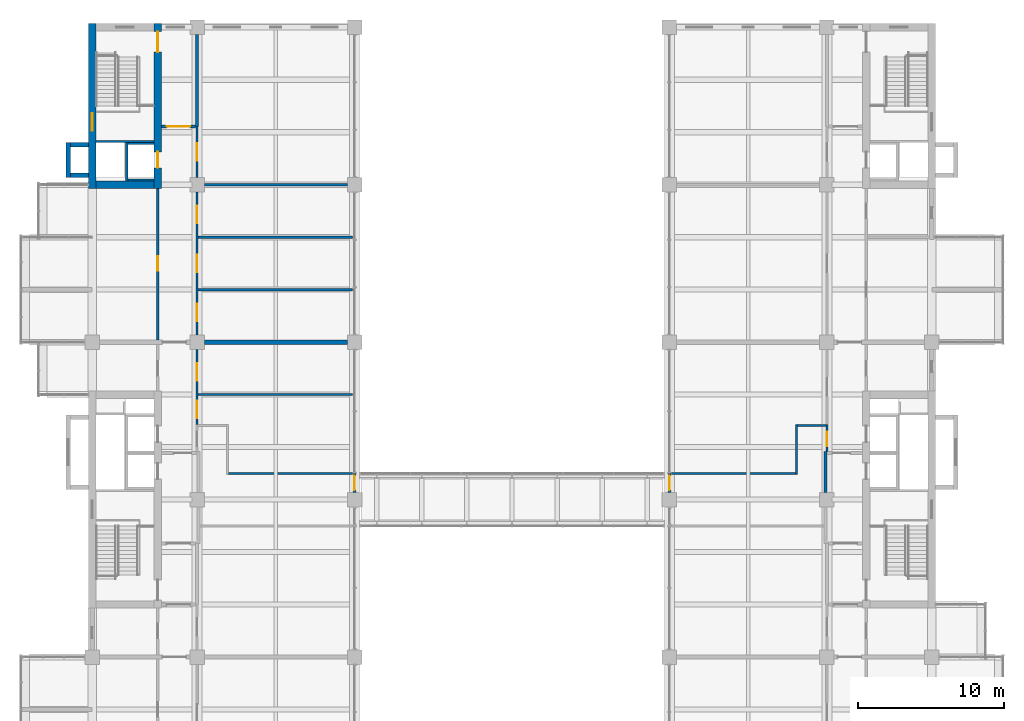
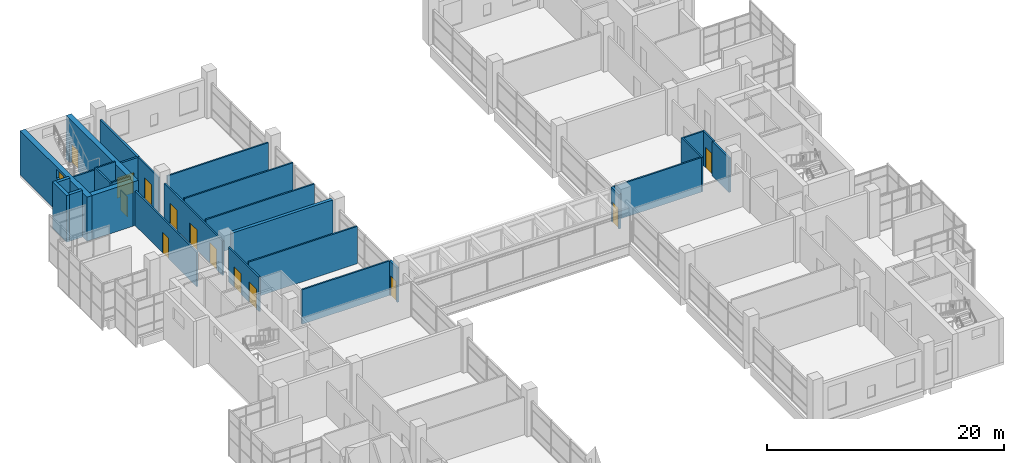
# One storey, part 29 of 35: 29 walls, 13 doors, 1 window, 14 openings.
"""IFC4 building model written with IfcOpenShell, lengths in metres."""

from ifc_helpers import new_model, si_unit, direction, frame, frame_2d, origin, place, context, subcontext, project, spatial, rectangle, extrude, material, layer, layer_set, type_object, element, fill, save


model = new_model("IFC4")

# Units and contexts
model_context = context("Model", 3, precision=1e-05, world=origin(), true_north=direction((0.0, 1.0)))
body_context = subcontext(model_context, "Body", "Model", "MODEL_VIEW")
ifc_project = project(units=[si_unit("LENGTHUNIT", "METRE"), si_unit("AREAUNIT", "SQUARE_METRE"), si_unit("VOLUMEUNIT", "CUBIC_METRE"), si_unit("PLANEANGLEUNIT", "RADIAN"), si_unit("MASSUNIT", "GRAM", prefix="KILO")], contexts=[model_context])

# Site, building, storey
site_placement = place(None, origin())
site = spatial("IfcSite", under=ifc_project, at=site_placement, CompositionType="ELEMENT")
building_placement = place(site_placement, origin())
building = spatial("IfcBuilding", under=site, at=building_placement, Name="Basin Gate Institute", CompositionType="ELEMENT")
storey_placement = place(building_placement, frame((0.0, 0.0, 31.800048828125)))
storey = spatial("IfcBuildingStorey", under=building, at=storey_placement, Name="L06", CompositionType="ELEMENT", Elevation=31.800048828125)

# Wall, opening, door
ifc_material_1 = material(Name="Steel stud wall with gypsum board lining", Category="steel")
ifc_layer_1 = layer(ifc_material_1, 0.199951171875)
ifc_layer_set_1 = layer_set([ifc_layer_1], Name="Steel stud wall with gypsum board lining")
wall_type_1 = type_object("IfcWallType", Name="Bridge end wall W82 EI 60", PredefinedType="SOLIDWALL", material=ifc_layer_set_1)
wall_1_placement = place(storey_placement, frame((79.199951171875, 68.0, 0.0), z_axis=(0.0, 0.0, 1.0), x_axis=(0.0, 1.0, 0.0)))
wall_1 = element("IfcWall", 1, at=wall_1_placement, inside=storey, type_object=wall_type_1, material=ifc_layer_set_1, Name="Bridge end wall R120 L06 W2", PredefinedType="SOLIDWALL", context=body_context, shape_type="SweptSolid", body=[
    extrude(rectangle(XDim=1.300048828125, YDim=0.199951171875, at=frame_2d((0.64990234375, 0.0))), origin(), (0.0, 0.0, 1.0), 3.550048828125),
])
opening_1_placement = place(wall_1_placement, frame((0.14990234375, 0.0, 0.0)))
opening_1 = element("IfcOpeningElement", 2, at=opening_1_placement, cuts=wall_1, Name="Opening D822", PredefinedType="OPENING", context=body_context, shape_type="SweptSolid", body=[
    extrude(rectangle(XDim=1.0, YDim=2.10009765625, at=frame_2d((0.5, 1.050048828125))), frame((0.0, 0.10986328125, 0.0), z_axis=(0.0, -1.0, 0.0), x_axis=(1.0, 0.0, 0.0)), (0.0, 0.0, 1.0), 0.219970703125),
])
ifc_material_2 = material(Name="Steel fire door leaf", Category="steel")
door_type_1 = type_object("IfcDoorType", Name="FD60 door 1000 bridge", OperationType="NOTDEFINED", PredefinedType="DOOR", material=ifc_material_2)
door_1_placement = place(opening_1_placement, origin())
door_1 = element("IfcDoor", 3, at=door_1_placement, inside=storey, type_object=door_type_1, material=ifc_material_2, Name="Bridge door L06 W2", OperationType="SINGLE_SWING_RIGHT", OverallHeight=2.10009765625, OverallWidth=1.0, PredefinedType="DOOR", context=body_context, shape_type="SweptSolid", body=[
    extrude(rectangle(XDim=1.0, YDim=2.10009765625, at=frame_2d((0.5, 1.050048828125))), frame((0.0, 0.02490234375, 0.0), z_axis=(0.0, -1.0, 0.0), x_axis=(1.0, 0.0, 0.0)), (0.0, 0.0, 1.0), 0.050048828125),
])
fill(opening_1, door_1)

wall_2_placement = place(storey_placement, frame((100.800048828125, 68.0, 0.0), z_axis=(0.0, 0.0, 1.0), x_axis=(0.0, 1.0, 0.0)))
wall_2 = element("IfcWall", 4, at=wall_2_placement, inside=storey, type_object=wall_type_1, material=ifc_layer_set_1, Name="Bridge end wall R120 L06 E2", PredefinedType="SOLIDWALL", context=body_context, shape_type="SweptSolid", body=[
    extrude(rectangle(XDim=1.300048828125, YDim=0.199951171875, at=frame_2d((0.64990234375, 0.0))), origin(), (0.0, 0.0, 1.0), 3.550048828125),
])
opening_2_placement = place(wall_2_placement, frame((0.14990234375, 0.0, 0.0)))
opening_2 = element("IfcOpeningElement", 5, at=opening_2_placement, cuts=wall_2, Name="Opening D832", PredefinedType="OPENING", context=body_context, shape_type="SweptSolid", body=[
    extrude(rectangle(XDim=1.0, YDim=2.10009765625, at=frame_2d((0.5, 1.050048828125))), frame((0.0, 0.10986328125, 0.0), z_axis=(0.0, -1.0, 0.0), x_axis=(1.0, 0.0, 0.0)), (0.0, 0.0, 1.0), 0.219970703125),
])
door_2_placement = place(opening_2_placement, frame((1.0, 0.0, 0.0), z_axis=(0.0, 0.0, 1.0), x_axis=(-1.0, 0.0, 0.0)))
door_2 = element("IfcDoor", 6, at=door_2_placement, inside=storey, type_object=door_type_1, material=ifc_material_2, Name="Bridge door L06 E2", OperationType="SINGLE_SWING_LEFT", OverallHeight=2.10009765625, OverallWidth=1.0, PredefinedType="DOOR", context=body_context, shape_type="SweptSolid", body=[
    extrude(rectangle(XDim=1.0, YDim=2.10009765625, at=frame_2d((0.5, 1.050048828125))), frame((0.0, 0.02490234375, 0.0), z_axis=(0.0, -1.0, 0.0), x_axis=(1.0, 0.0, 0.0)), (0.0, 0.0, 1.0), 0.050048828125),
])
fill(opening_2, door_2)

ifc_material_3 = material(Name="Fire-rated masonry", Category="masonry")
ifc_layer_2 = layer(ifc_material_3, 0.199951171875)
ifc_layer_set_2 = layer_set([ifc_layer_2], Name="Enclosure wall PW2 200 EI 60")
wall_type_2 = type_object("IfcWallType", Name="Enclosure wall PW2 200 EI 60", PredefinedType="PARTITIONING", material=ifc_layer_set_2)
wall_3_placement = place(storey_placement, frame((65.949951171875, 93.10009765625, 0.0), z_axis=(0.0, 0.0, 1.0), x_axis=(1.0, 0.0, 0.0)))
wall_3 = element("IfcWall", 7, at=wall_3_placement, inside=storey, type_object=wall_type_2, material=ifc_layer_set_2, Name="Smoke lobby enclosure wall PW2 L06", PredefinedType="PARTITIONING", context=body_context, shape_type="SweptSolid", body=[
    extrude(rectangle(XDim=2.35009765625, YDim=0.199951171875, at=frame_2d((1.175048828125, 0.0))), origin(), (0.0, 0.0, 1.0), 3.550048828125),
])
opening_3_placement = place(wall_3_placement, frame((0.375, 0.0, 0.0)))
opening_3 = element("IfcOpeningElement", 8, at=opening_3_placement, cuts=wall_3, Name="Opening DR322", PredefinedType="OPENING", context=body_context, shape_type="SweptSolid", body=[
    extrude(rectangle(XDim=1.60009765625, YDim=2.10009765625, at=frame_2d((0.800048828125, 1.050048828125))), frame((0.0, 0.10986328125, 0.0), z_axis=(0.0, -1.0, 0.0), x_axis=(1.0, 0.0, 0.0)), (0.0, 0.0, 1.0), 0.219970703125),
])
ifc_material_4 = material(Name="Steel fire door", Category="steel")
door_type_2 = type_object("IfcDoorType", Name="FD60 Smoke lobby door pair D8", OperationType="DOUBLE_DOOR_SINGLE_SWING", PredefinedType="DOOR", material=ifc_material_4)
door_3_placement = place(opening_3_placement, origin())
door_3 = element("IfcDoor", 9, at=door_3_placement, inside=storey, type_object=door_type_2, material=ifc_material_4, Name="Smoke lobby door SS3 L06", OperationType="DOUBLE_DOOR_SINGLE_SWING", OverallHeight=2.10009765625, OverallWidth=1.60009765625, PredefinedType="DOOR", context=body_context, shape_type="SweptSolid", body=[
    extrude(rectangle(XDim=1.60009765625, YDim=2.10009765625, at=frame_2d((0.800048828125, 1.050048828125))), frame((0.0, 0.02490234375, 0.0), z_axis=(0.0, -1.0, 0.0), x_axis=(1.0, 0.0, 0.0)), (0.0, 0.0, 1.0), 0.050048828125),
])
fill(opening_3, door_3)

# Walls
wall_4_placement = place(storey_placement, frame((68.39990234375, 93.10009765625, 0.0), z_axis=(0.0, 0.0, 1.0), x_axis=(0.0, 1.0, 0.0)))
element("IfcWall", 10, at=wall_4_placement, inside=storey, type_object=wall_type_2, material=ifc_layer_set_2, Name="Smoke lobby enclosure wall PW2 L06", PredefinedType="PARTITIONING", context=body_context, shape_type="SweptSolid", body=[
    extrude(rectangle(XDim=6.2998046875, YDim=0.199951171875, at=frame_2d((3.14990234375, 0.0))), origin(), (0.0, 0.0, 1.0), 3.550048828125),
])
wall_5_placement = place(storey_placement, frame((111.5, 68.0, 0.0), z_axis=(0.0, 0.0, 1.0), x_axis=(0.0, 1.0, 0.0)))
element("IfcWall", 11, at=wall_5_placement, inside=storey, type_object=wall_type_2, material=ifc_layer_set_2, Name="Emergency lift lobby wall PW2 L06", PredefinedType="PARTITIONING", context=body_context, shape_type="SweptSolid", body=[
    extrude(rectangle(XDim=2.800048828125, YDim=0.199951171875, at=frame_2d((1.39990234375, 0.0))), origin(), (0.0, 0.0, 1.0), 3.550048828125),
])

# Wall, opening, door
ifc_material_5 = material(Name="Gypsum board on steel stud", Category="steel")
ifc_layer_3 = layer(ifc_material_5, 0.14990234375)
ifc_layer_set_3 = layer_set([ifc_layer_3], Name="Gypsum board on steel stud")
wall_type_3 = type_object("IfcWallType", Name="Partition PW1 150 EI 60", PredefinedType="PARTITIONING", material=ifc_layer_set_3)
wall_6_placement = place(storey_placement, frame((65.699951171875, 78.449951171875, 0.0), z_axis=(0.0, 0.0, 1.0), x_axis=(0.0, 1.0, 0.0)))
wall_6 = element("IfcWall", 12, at=wall_6_placement, inside=storey, type_object=wall_type_3, material=ifc_layer_set_3, Name="Corridor wall PW1 L06", PredefinedType="PARTITIONING", context=body_context, shape_type="SweptSolid", body=[
    extrude(rectangle(XDim=10.400146484375, YDim=0.14990234375, at=frame_2d((5.2001953125, 0.0))), origin(), (0.0, 0.0, 1.0), 3.550048828125),
])
opening_4_placement = place(wall_6_placement, frame((4.75, 0.0, 0.0)))
opening_4 = element("IfcOpeningElement", 13, at=opening_4_placement, cuts=wall_6, Name="Opening DR308", PredefinedType="OPENING", context=body_context, shape_type="SweptSolid", body=[
    extrude(rectangle(XDim=1.0, YDim=2.10009765625, at=frame_2d((0.5, 1.050048828125))), frame((0.0, 0.0849609375, 0.0), z_axis=(0.0, -1.0, 0.0), x_axis=(1.0, 0.0, 0.0)), (0.0, 0.0, 1.0), 0.169921875),
])
ifc_material_6 = material(Name="Timber fire door", Category="wood")
door_type_3 = type_object("IfcDoorType", Name="FD30 Office door D1", OperationType="NOTDEFINED", PredefinedType="DOOR", material=ifc_material_6)
door_4_placement = place(opening_4_placement, origin())
door_4 = element("IfcDoor", 14, at=door_4_placement, inside=storey, type_object=door_type_3, material=ifc_material_6, Name="Door to Library Carrel Room 0605 L06", OperationType="SINGLE_SWING_LEFT", OverallHeight=2.10009765625, OverallWidth=1.0, PredefinedType="DOOR", context=body_context, shape_type="SweptSolid", body=[
    extrude(rectangle(XDim=1.0, YDim=2.10009765625, at=frame_2d((0.5, 1.050048828125))), frame((0.0, 0.02490234375, 0.0), z_axis=(0.0, -1.0, 0.0), x_axis=(1.0, 0.0, 0.0)), (0.0, 0.0, 1.0), 0.050048828125),
])
fill(opening_4, door_4)

# Wall, openings, doors
wall_7_placement = place(storey_placement, frame((68.39990234375, 78.800048828125, 0.0), z_axis=(0.0, 0.0, 1.0), x_axis=(0.0, 1.0, 0.0)))
wall_7 = element("IfcWall", 15, at=wall_7_placement, inside=storey, type_object=wall_type_3, material=ifc_layer_set_3, Name="Laboratory corridor wall PW1 L06", PredefinedType="PARTITIONING", context=body_context, shape_type="SweptSolid", body=[
    extrude(rectangle(XDim=9.800048828125, YDim=0.14990234375, at=frame_2d((4.89990234375, 0.0))), origin(), (0.0, 0.0, 1.0), 3.550048828125),
])
opening_5_placement = place(wall_7_placement, frame((4.300048828125, 0.0, 0.0)))
opening_5 = element("IfcOpeningElement", 16, at=opening_5_placement, cuts=wall_7, Name="Opening DR305", PredefinedType="OPENING", context=body_context, shape_type="SweptSolid", body=[
    extrude(rectangle(XDim=1.199951171875, YDim=2.10009765625, at=frame_2d((0.60009765625, 1.050048828125))), frame((0.0, 0.0849609375, 0.0), z_axis=(0.0, -1.0, 0.0), x_axis=(1.0, 0.0, 0.0)), (0.0, 0.0, 1.0), 0.169921875),
])
opening_6_placement = place(wall_7_placement, frame((0.949951171875, 0.0, 0.0)))
opening_6 = element("IfcOpeningElement", 17, at=opening_6_placement, cuts=wall_7, Name="Opening DR315", PredefinedType="OPENING", context=body_context, shape_type="SweptSolid", body=[
    extrude(rectangle(XDim=1.199951171875, YDim=2.10009765625, at=frame_2d((0.60009765625, 1.050048828125))), frame((0.0, 0.0849609375, 0.0), z_axis=(0.0, -1.0, 0.0), x_axis=(1.0, 0.0, 0.0)), (0.0, 0.0, 1.0), 0.169921875),
])
opening_7_placement = place(wall_7_placement, frame((7.64990234375, 0.0, 0.0)))
opening_7 = element("IfcOpeningElement", 18, at=opening_7_placement, cuts=wall_7, Name="Opening DR316", PredefinedType="OPENING", context=body_context, shape_type="SweptSolid", body=[
    extrude(rectangle(XDim=1.199951171875, YDim=2.10009765625, at=frame_2d((0.60009765625, 1.050048828125))), frame((0.0, 0.0849609375, 0.0), z_axis=(0.0, -1.0, 0.0), x_axis=(1.0, 0.0, 0.0)), (0.0, 0.0, 1.0), 0.169921875),
])
ifc_material_7 = material(Name="Timber fire door", Category="wood")
door_type_4 = type_object("IfcDoorType", Name="FD30 Laboratory door D2", OperationType="DOUBLE_DOOR_SINGLE_SWING", PredefinedType="DOOR", material=ifc_material_7)
door_5_placement = place(opening_5_placement, frame((1.199951171875, 0.0, 0.0), z_axis=(0.0, 0.0, 1.0), x_axis=(-1.0, 0.0, 0.0)))
door_5 = element("IfcDoor", 19, at=door_5_placement, inside=storey, type_object=door_type_4, material=ifc_material_7, Name="Door to Breakout Meeting Room 0621 L06", OperationType="DOUBLE_DOOR_SINGLE_SWING", OverallHeight=2.10009765625, OverallWidth=1.199951171875, PredefinedType="DOOR", context=body_context, shape_type="SweptSolid", body=[
    extrude(rectangle(XDim=1.199951171875, YDim=2.10009765625, at=frame_2d((0.60009765625, 1.050048828125))), frame((0.0, 0.02490234375, 0.0), z_axis=(0.0, -1.0, 0.0), x_axis=(1.0, 0.0, 0.0)), (0.0, 0.0, 1.0), 0.050048828125),
])
fill(opening_5, door_5)
door_6_placement = place(opening_6_placement, frame((1.199951171875, 0.0, 0.0), z_axis=(0.0, 0.0, 1.0), x_axis=(-1.0, 0.0, 0.0)))
door_6 = element("IfcDoor", 20, at=door_6_placement, inside=storey, type_object=door_type_4, material=ifc_material_7, Name="Door to Shared Instrument Suite 0620 L06", OperationType="DOUBLE_DOOR_SINGLE_SWING", OverallHeight=2.10009765625, OverallWidth=1.199951171875, PredefinedType="DOOR", context=body_context, shape_type="SweptSolid", body=[
    extrude(rectangle(XDim=1.199951171875, YDim=2.10009765625, at=frame_2d((0.60009765625, 1.050048828125))), frame((0.0, 0.02490234375, 0.0), z_axis=(0.0, -1.0, 0.0), x_axis=(1.0, 0.0, 0.0)), (0.0, 0.0, 1.0), 0.050048828125),
])
fill(opening_6, door_6)
door_7_placement = place(opening_7_placement, frame((1.199951171875, 0.0, 0.0), z_axis=(0.0, 0.0, 1.0), x_axis=(-1.0, 0.0, 0.0)))
door_7 = element("IfcDoor", 21, at=door_7_placement, inside=storey, type_object=door_type_4, material=ifc_material_7, Name="Door to Shared Instrument Suite 0622 L06", OperationType="DOUBLE_DOOR_SINGLE_SWING", OverallHeight=2.10009765625, OverallWidth=1.199951171875, PredefinedType="DOOR", context=body_context, shape_type="SweptSolid", body=[
    extrude(rectangle(XDim=1.199951171875, YDim=2.10009765625, at=frame_2d((0.60009765625, 1.050048828125))), frame((0.0, 0.02490234375, 0.0), z_axis=(0.0, -1.0, 0.0), x_axis=(1.0, 0.0, 0.0)), (0.0, 0.0, 1.0), 0.050048828125),
])
fill(opening_7, door_7)

# Wall, opening, door
wall_8_placement = place(storey_placement, frame((68.39990234375, 89.60009765625, 0.0), z_axis=(0.0, 0.0, 1.0), x_axis=(0.0, 1.0, 0.0)))
wall_8 = element("IfcWall", 22, at=wall_8_placement, inside=storey, type_object=wall_type_3, material=ifc_layer_set_3, Name="Laboratory corridor wall PW1 L06", PredefinedType="PARTITIONING", context=body_context, shape_type="SweptSolid", body=[
    extrude(rectangle(XDim=3.5, YDim=0.14990234375, at=frame_2d((1.75, 0.0))), origin(), (0.0, 0.0, 1.0), 3.550048828125),
])
opening_8_placement = place(wall_8_placement, frame((1.14990234375, 0.0, 0.0)))
opening_8 = element("IfcOpeningElement", 23, at=opening_8_placement, cuts=wall_8, Name="Opening DR306", PredefinedType="OPENING", context=body_context, shape_type="SweptSolid", body=[
    extrude(rectangle(XDim=1.199951171875, YDim=2.10009765625, at=frame_2d((0.60009765625, 1.050048828125))), frame((0.0, 0.0849609375, 0.0), z_axis=(0.0, -1.0, 0.0), x_axis=(1.0, 0.0, 0.0)), (0.0, 0.0, 1.0), 0.169921875),
])
door_8_placement = place(opening_8_placement, frame((1.199951171875, 0.0, 0.0), z_axis=(0.0, 0.0, 1.0), x_axis=(-1.0, 0.0, 0.0)))
door_8 = element("IfcDoor", 24, at=door_8_placement, inside=storey, type_object=door_type_4, material=ifc_material_7, Name="Door to Breakout Meeting Room 0623 L06", OperationType="DOUBLE_DOOR_SINGLE_SWING", OverallHeight=2.10009765625, OverallWidth=1.199951171875, PredefinedType="DOOR", context=body_context, shape_type="SweptSolid", body=[
    extrude(rectangle(XDim=1.199951171875, YDim=2.10009765625, at=frame_2d((0.60009765625, 1.050048828125))), frame((0.0, 0.02490234375, 0.0), z_axis=(0.0, -1.0, 0.0), x_axis=(1.0, 0.0, 0.0)), (0.0, 0.0, 1.0), 0.050048828125),
])
fill(opening_8, door_8)

# Wall, openings, doors
wall_9_placement = place(storey_placement, frame((68.39990234375, 72.64990234375, 0.0), z_axis=(0.0, 0.0, 1.0), x_axis=(0.0, 1.0, 0.0)))
wall_9 = element("IfcWall", 25, at=wall_9_placement, inside=storey, type_object=wall_type_3, material=ifc_layer_set_3, Name="Laboratory corridor wall PW1 L06", PredefinedType="PARTITIONING", context=body_context, shape_type="SweptSolid", body=[
    extrude(rectangle(XDim=5.150146484375, YDim=0.14990234375, at=frame_2d((2.5751953125, 0.0))), origin(), (0.0, 0.0, 1.0), 3.550048828125),
])
opening_9_placement = place(wall_9_placement, frame((0.425048828125, 0.0, 0.0)))
opening_9 = element("IfcOpeningElement", 26, at=opening_9_placement, cuts=wall_9, Name="Opening DR304", PredefinedType="OPENING", context=body_context, shape_type="SweptSolid", body=[
    extrude(rectangle(XDim=1.199951171875, YDim=2.10009765625, at=frame_2d((0.60009765625, 1.050048828125))), frame((0.0, 0.0849609375, 0.0), z_axis=(0.0, -1.0, 0.0), x_axis=(1.0, 0.0, 0.0)), (0.0, 0.0, 1.0), 0.169921875),
])
opening_10_placement = place(wall_9_placement, frame((3.0, 0.0, 0.0)))
opening_10 = element("IfcOpeningElement", 27, at=opening_10_placement, cuts=wall_9, Name="Opening DR314", PredefinedType="OPENING", context=body_context, shape_type="SweptSolid", body=[
    extrude(rectangle(XDim=1.199951171875, YDim=2.10009765625, at=frame_2d((0.60009765625, 1.050048828125))), frame((0.0, 0.0849609375, 0.0), z_axis=(0.0, -1.0, 0.0), x_axis=(1.0, 0.0, 0.0)), (0.0, 0.0, 1.0), 0.169921875),
])
door_9_placement = place(opening_9_placement, frame((1.199951171875, 0.0, 0.0), z_axis=(0.0, 0.0, 1.0), x_axis=(-1.0, 0.0, 0.0)))
door_9 = element("IfcDoor", 28, at=door_9_placement, inside=storey, type_object=door_type_4, material=ifc_material_7, Name="Door to Breakout Meeting Room 0618 L06", OperationType="DOUBLE_DOOR_SINGLE_SWING", OverallHeight=2.10009765625, OverallWidth=1.199951171875, PredefinedType="DOOR", context=body_context, shape_type="SweptSolid", body=[
    extrude(rectangle(XDim=1.199951171875, YDim=2.10009765625, at=frame_2d((0.60009765625, 1.050048828125))), frame((0.0, 0.02490234375, 0.0), z_axis=(0.0, -1.0, 0.0), x_axis=(1.0, 0.0, 0.0)), (0.0, 0.0, 1.0), 0.050048828125),
])
fill(opening_9, door_9)
door_10_placement = place(opening_10_placement, frame((1.199951171875, 0.0, 0.0), z_axis=(0.0, 0.0, 1.0), x_axis=(-1.0, 0.0, 0.0)))
door_10 = element("IfcDoor", 29, at=door_10_placement, inside=storey, type_object=door_type_4, material=ifc_material_7, Name="Door to Shared Instrument Suite 0619 L06", OperationType="DOUBLE_DOOR_SINGLE_SWING", OverallHeight=2.10009765625, OverallWidth=1.199951171875, PredefinedType="DOOR", context=body_context, shape_type="SweptSolid", body=[
    extrude(rectangle(XDim=1.199951171875, YDim=2.10009765625, at=frame_2d((0.60009765625, 1.050048828125))), frame((0.0, 0.02490234375, 0.0), z_axis=(0.0, -1.0, 0.0), x_axis=(1.0, 0.0, 0.0)), (0.0, 0.0, 1.0), 0.050048828125),
])
fill(opening_10, door_10)

# Walls
wall_10_placement = place(storey_placement, frame((70.550048828125, 69.300048828125, 0.0), z_axis=(0.0, 0.0, 1.0), x_axis=(1.0, 0.0, 0.0)))
element("IfcWall", 30, at=wall_10_placement, inside=storey, type_object=wall_type_3, material=ifc_layer_set_3, Name="Cross corridor wall PW1 L06", PredefinedType="PARTITIONING", context=body_context, shape_type="SweptSolid", body=[
    extrude(rectangle(XDim=8.5, YDim=0.14990234375, at=frame_2d((4.25, 0.0))), origin(), (0.0, 0.0, 1.0), 3.550048828125),
])
for number, where, z_axis, x_axis, name in (
    (31, (68.47509765625, 74.699951171875, 0.0), (0.0, 0.0, 1.0), (1.0, 0.0, 0.0), "Laboratory partition PW1 L06"),
    (32, (68.47509765625, 81.89990234375, 0.0), (0.0, 0.0, 1.0), (1.0, 0.0, 0.0), "Laboratory partition PW1 L06"),
    (33, (68.47509765625, 85.5, 0.0), (0.0, 0.0, 1.0), (1.0, 0.0, 0.0), "Laboratory partition PW1 L06"),
):
    element("IfcWall", number, at=place(storey_placement, frame(where, z_axis=z_axis, x_axis=x_axis)), inside=storey, type_object=wall_type_3, material=ifc_layer_set_3, Name=name, PredefinedType="PARTITIONING", context=body_context, shape_type="SweptSolid", body=[
        extrude(rectangle(XDim=10.574951171875, YDim=0.14990234375, at=frame_2d((5.28759765625, 0.0))), origin(), (0.0, 0.0, 1.0), 3.849853515625),
    ])
wall_11_placement = place(storey_placement, frame((68.89990234375, 89.10009765625, 0.0), z_axis=(0.0, 0.0, 1.0), x_axis=(1.0, 0.0, 0.0)))
element("IfcWall", 34, at=wall_11_placement, inside=storey, type_object=wall_type_3, material=ifc_layer_set_3, Name="Laboratory partition PW1 L06", PredefinedType="PARTITIONING", context=body_context, shape_type="SweptSolid", body=[
    extrude(rectangle(XDim=9.800048828125, YDim=0.14990234375, at=frame_2d((4.89990234375, 0.0))), origin(), (0.0, 0.0, 1.0), 3.849853515625),
])

# Wall, opening, door
wall_12_placement = place(storey_placement, frame((111.60009765625, 70.800048828125, 0.0), z_axis=(0.0, 0.0, 1.0), x_axis=(0.0, 1.0, 0.0)))
wall_12 = element("IfcWall", 35, at=wall_12_placement, inside=storey, type_object=wall_type_3, material=ifc_layer_set_3, Name="Laboratory corridor wall PW1 L06", PredefinedType="PARTITIONING", context=body_context, shape_type="SweptSolid", body=[
    extrude(rectangle(XDim=1.849853515625, YDim=0.14990234375, at=frame_2d((0.9248046875, 0.0))), origin(), (0.0, 0.0, 1.0), 3.550048828125),
])
opening_11_placement = place(wall_12_placement, frame((0.35009765625, 0.0, 0.0)))
opening_11 = element("IfcOpeningElement", 36, at=opening_11_placement, cuts=wall_12, Name="Opening DR294", PredefinedType="OPENING", context=body_context, shape_type="SweptSolid", body=[
    extrude(rectangle(XDim=1.0, YDim=2.10009765625, at=frame_2d((0.5, 1.050048828125))), frame((0.0, 0.0849609375, 0.0), z_axis=(0.0, -1.0, 0.0), x_axis=(1.0, 0.0, 0.0)), (0.0, 0.0, 1.0), 0.169921875),
])
ifc_material_8 = material(Name="Steel fire door", Category="steel")
door_type_5 = type_object("IfcDoorType", Name="FD30 Cross corridor door D13", OperationType="NOTDEFINED", PredefinedType="DOOR", material=ifc_material_8)
door_11_placement = place(opening_11_placement, origin())
door_11 = element("IfcDoor", 37, at=door_11_placement, inside=storey, type_object=door_type_5, material=ifc_material_8, Name="Door to cross corridor L06", OperationType="SINGLE_SWING_LEFT", OverallHeight=2.10009765625, OverallWidth=1.0, PredefinedType="DOOR", context=body_context, shape_type="SweptSolid", body=[
    extrude(rectangle(XDim=1.0, YDim=2.10009765625, at=frame_2d((0.5, 1.050048828125))), frame((0.0, 0.02490234375, 0.0), z_axis=(0.0, -1.0, 0.0), x_axis=(1.0, 0.0, 0.0)), (0.0, 0.0, 1.0), 0.050048828125),
])
fill(opening_11, door_11)

# Walls
wall_13_placement = place(storey_placement, frame((109.52490234375, 69.22509765625, 0.0), z_axis=(0.0, 0.0, 1.0), x_axis=(0.0, 1.0, 0.0)))
element("IfcWall", 38, at=wall_13_placement, inside=storey, type_object=wall_type_3, material=ifc_layer_set_3, Name="Cross corridor wall PW1 L06", PredefinedType="PARTITIONING", context=body_context, shape_type="SweptSolid", body=[
    extrude(rectangle(XDim=3.4248046875, YDim=0.14990234375, at=frame_2d((1.71240234375, 0.0))), origin(), (0.0, 0.0, 1.0), 3.550048828125),
])
wall_14_placement = place(storey_placement, frame((111.52490234375, 72.574951171875, 0.0), z_axis=(0.0, 0.0, 1.0), x_axis=(-1.0, 0.0, 0.0)))
element("IfcWall", 39, at=wall_14_placement, inside=storey, type_object=wall_type_3, material=ifc_layer_set_3, Name="Cross corridor wall PW1 L06", PredefinedType="PARTITIONING", context=body_context, shape_type="SweptSolid", body=[
    extrude(rectangle(XDim=1.9248046875, YDim=0.14990234375, at=frame_2d((0.96240234375, 0.0))), origin(), (0.0, 0.0, 1.0), 3.550048828125),
])
wall_15_placement = place(storey_placement, frame((109.449951171875, 69.300048828125, 0.0), z_axis=(0.0, 0.0, 1.0), x_axis=(-1.0, 0.0, 0.0)))
element("IfcWall", 40, at=wall_15_placement, inside=storey, type_object=wall_type_3, material=ifc_layer_set_3, Name="Cross corridor wall PW1 L06", PredefinedType="PARTITIONING", context=body_context, shape_type="SweptSolid", body=[
    extrude(rectangle(XDim=8.5, YDim=0.14990234375, at=frame_2d((4.25, 0.0))), origin(), (0.0, 0.0, 1.0), 3.550048828125),
])
ifc_material_9 = material(Name="Concrete 40 MPa", Category="concrete")
ifc_layer_4 = layer(ifc_material_9, 0.14990234375)
ifc_layer_set_4 = layer_set([ifc_layer_4], Name="Concrete 40 MPa")
wall_type_4 = type_object("IfcWallType", Name="Wall LS1 lift shaft enclosure R120", PredefinedType="SOLIDWALL", material=ifc_layer_set_4)
wall_16_placement = place(storey_placement, frame((63.574951171875, 92.0, 0.0), z_axis=(0.0, 0.0, 1.0), x_axis=(0.0, -1.0, 0.0)))
element("IfcWall", 41, at=wall_16_placement, inside=storey, type_object=wall_type_4, material=ifc_layer_set_4, Name="Lift shaft enclosure LP3 L06 UL", PredefinedType="SOLIDWALL", context=body_context, shape_type="SweptSolid", body=[
    extrude(rectangle(XDim=2.64990234375, YDim=0.14990234375, at=frame_2d((1.324951171875, 0.0))), origin(), (0.0, 0.0, 1.0), 4.800048828125),
])
for number, where, z_axis, x_axis, name in (
    (42, (63.64990234375, 91.925048828125, 0.0), (0.0, 0.0, 1.0), (1.0, 0.0, 0.0), "Lift shaft enclosure LP3 L06 RL"),
    (43, (63.64990234375, 89.425048828125, 0.0), (0.0, 0.0, 1.0), (1.0, 0.0, 0.0), "Lift shaft enclosure LP3 L06 RH"),
):
    element("IfcWall", number, at=place(storey_placement, frame(where, z_axis=z_axis, x_axis=x_axis)), inside=storey, type_object=wall_type_4, material=ifc_layer_set_4, Name=name, PredefinedType="SOLIDWALL", context=body_context, shape_type="SweptSolid", body=[
        extrude(rectangle(XDim=1.800048828125, YDim=0.14990234375, at=frame_2d((0.89990234375, 0.0))), origin(), (0.0, 0.0, 1.0), 4.800048828125),
    ])
ifc_material_10 = material(Name="Concrete 40 MPa", Category="concrete")
ifc_layer_5 = layer(ifc_material_10, 0.14990234375)
ifc_layer_set_5 = layer_set([ifc_layer_5], Name="Concrete 40 MPa")
wall_type_5 = type_object("IfcWallType", Name="Wall SE1 stair enclosure R120", PredefinedType="SOLIDWALL", material=ifc_layer_set_5)
wall_17_placement = place(storey_placement, frame((61.449951171875, 92.074951171875, 0.0), z_axis=(0.0, 0.0, 1.0), x_axis=(1.0, 0.0, 0.0)))
element("IfcWall", 44, at=wall_17_placement, inside=storey, type_object=wall_type_5, material=ifc_layer_set_5, Name="Stair enclosure wall ST-WN L06", PredefinedType="SOLIDWALL", context=body_context, shape_type="SweptSolid", body=[
    extrude(rectangle(XDim=4.0, YDim=0.14990234375, at=frame_2d((2.0, 0.0))), origin(), (0.0, 0.0, 1.0), 4.550048828125),
])
ifc_material_11 = material(Name="Concrete 50 MPa", Category="concrete")
ifc_layer_6 = layer(ifc_material_11, 0.300048828125)
ifc_layer_set_6 = layer_set([ifc_layer_6], Name="Concrete 50 MPa")
wall_type_6 = type_object("IfcWallType", Name="Wall SK1 R120", PredefinedType="SHEAR", material=ifc_layer_set_6)
wall_18_placement = place(storey_placement, frame((59.550048828125, 89.60009765625, 0.0), z_axis=(0.0, 0.0, 1.0), x_axis=(0.0, 1.0, 0.0)))
element("IfcWall", 45, at=wall_18_placement, inside=storey, type_object=wall_type_6, material=ifc_layer_set_6, Name="Spine riser stack wall SK1 WN F L06", PredefinedType="SHEAR", context=body_context, shape_type="SweptSolid", body=[
    extrude(rectangle(XDim=2.39990234375, YDim=0.300048828125, at=frame_2d((1.199951171875, 0.0))), origin(), (0.0, 0.0, 1.0), 4.800048828125),
])
for number, where, z_axis, x_axis, name in (
    (46, (60.949951171875, 89.75, 0.0), (0.0, 0.0, 1.0), (-1.0, 0.0, 0.0), "Spine riser stack wall SK1 WN A L06"),
    (47, (60.949951171875, 91.85009765625, 0.0), (0.0, 0.0, 1.0), (-1.0, 0.0, 0.0), "Spine riser stack wall SK1 WN B L06"),
):
    element("IfcWall", number, at=place(storey_placement, frame(where, z_axis=z_axis, x_axis=x_axis)), inside=storey, type_object=wall_type_6, material=ifc_layer_set_6, Name=name, PredefinedType="SHEAR", context=body_context, shape_type="SweptSolid", body=[
        extrude(rectangle(XDim=1.25, YDim=0.300048828125, at=frame_2d((0.625, 0.0))), origin(), (0.0, 0.0, 1.0), 4.800048828125),
    ])

# Wall, opening, window
ifc_material_12 = material(Name="Concrete 60 MPa", Category="concrete")
ifc_layer_7 = layer(ifc_material_12, 0.5)
ifc_layer_set_7 = layer_set([ifc_layer_7], Name="Concrete 60 MPa")
wall_type_7 = type_object("IfcWallType", Name="Wall SW1 R120", PredefinedType="SHEAR", material=ifc_layer_set_7)
wall_19_placement = place(storey_placement, frame((61.199951171875, 88.85009765625, 0.0), z_axis=(0.0, 0.0, 1.0), x_axis=(0.0, 1.0, 0.0)))
wall_19 = element("IfcWall", 48, at=wall_19_placement, inside=storey, type_object=wall_type_7, material=ifc_layer_set_7, Name="WALL/L06/WN/L", PredefinedType="SHEAR", context=body_context, shape_type="SweptSolid", body=[
    extrude(rectangle(XDim=11.2998046875, YDim=0.5, at=frame_2d((5.64990234375, 0.0))), origin(), (0.0, 0.0, 1.0), 4.550048828125),
])
opening_12_placement = place(wall_19_placement, frame((3.93994140625, 0.0, 3.39990234375)))
opening_12 = element("IfcOpeningElement", 49, at=opening_12_placement, cuts=wall_19, Name="Opening WT2", PredefinedType="OPENING", context=body_context, shape_type="SweptSolid", body=[
    extrude(rectangle(XDim=1.199951171875, YDim=0.89990234375, at=frame_2d((0.60009765625, 0.449951171875))), frame((0.0, 0.260009765625, 0.0), z_axis=(0.0, -1.0, 0.0), x_axis=(1.0, 0.0, 0.0)), (0.0, 0.0, 1.0), 0.52001953125),
])
ifc_material_13 = material(Name="Fire-resistant glazing in steel-free frame", Category="steel")
window_type = type_object("IfcWindowType", Name="Rated stair window EI 120 WT2", PartitioningType="SINGLE_PANEL", PredefinedType="WINDOW", material=ifc_material_13)
window_placement = place(opening_12_placement, origin())
window = element("IfcWindow", 50, at=window_placement, inside=storey, type_object=window_type, material=ifc_material_13, Name="Rated stair window EI 120 WN landing L06", OverallHeight=0.89990234375, OverallWidth=1.199951171875, PartitioningType="SINGLE_PANEL", PredefinedType="WINDOW", context=body_context, shape_type="SweptSolid", body=[
    extrude(rectangle(XDim=1.199951171875, YDim=0.89990234375, at=frame_2d((0.60009765625, 0.449951171875))), frame((0.0, 0.030029296875, 0.0), z_axis=(0.0, -1.0, 0.0), x_axis=(1.0, 0.0, 0.0)), (0.0, 0.0, 1.0), 0.06005859375),
])
fill(opening_12, window)

# Wall, openings, doors
wall_20_placement = place(storey_placement, frame((65.699951171875, 88.85009765625, 0.0), z_axis=(0.0, 0.0, 1.0), x_axis=(0.0, 1.0, 0.0)))
wall_20 = element("IfcWall", 51, at=wall_20_placement, inside=storey, type_object=wall_type_7, material=ifc_layer_set_7, Name="WALL/L06/WN/C", PredefinedType="SHEAR", context=body_context, shape_type="SweptSolid", body=[
    extrude(rectangle(XDim=11.2998046875, YDim=0.5, at=frame_2d((5.64990234375, 0.0))), origin(), (0.0, 0.0, 1.0), 4.550048828125),
])
opening_13_placement = place(wall_20_placement, frame((9.35009765625, 0.0, 0.0)))
opening_13 = element("IfcOpeningElement", 52, at=opening_13_placement, cuts=wall_20, Name="Opening DS039", PredefinedType="OPENING", context=body_context, shape_type="SweptSolid", body=[
    extrude(rectangle(XDim=1.39990234375, YDim=2.10009765625, at=frame_2d((0.699951171875, 1.050048828125))), frame((0.0, 0.260009765625, 0.0), z_axis=(0.0, -1.0, 0.0), x_axis=(1.0, 0.0, 0.0)), (0.0, 0.0, 1.0), 0.52001953125),
])
opening_14_placement = place(wall_20_placement, frame((1.39990234375, 0.0, 0.0)))
opening_14 = element("IfcOpeningElement", 53, at=opening_14_placement, cuts=wall_20, Name="Opening LD061", PredefinedType="OPENING", context=body_context, shape_type="SweptSolid", body=[
    extrude(rectangle(XDim=1.10009765625, YDim=2.10009765625, at=frame_2d((0.550048828125, 1.050048828125))), frame((0.0, 0.260009765625, 0.0), z_axis=(0.0, -1.0, 0.0), x_axis=(1.0, 0.0, 0.0)), (0.0, 0.0, 1.0), 0.52001953125),
])
ifc_material_14 = material(Name="Steel fire door", Category="steel")
door_type_6 = type_object("IfcDoorType", Name="FD30 Stair enclosure door DS", OperationType="DOUBLE_DOOR_SINGLE_SWING", PredefinedType="DOOR", material=ifc_material_14)
door_12_placement = place(opening_13_placement, origin())
door_12 = element("IfcDoor", 54, at=door_12_placement, inside=storey, type_object=door_type_6, material=ifc_material_14, Name="Stair enclosure door ST-WN L06", OperationType="DOUBLE_DOOR_SINGLE_SWING", OverallHeight=2.10009765625, OverallWidth=1.39990234375, PredefinedType="DOOR", context=body_context, shape_type="SweptSolid", body=[
    extrude(rectangle(XDim=1.39990234375, YDim=2.10009765625, at=frame_2d((0.699951171875, 1.050048828125))), frame((0.0, 0.02490234375, 0.0), z_axis=(0.0, -1.0, 0.0), x_axis=(1.0, 0.0, 0.0)), (0.0, 0.0, 1.0), 0.050048828125),
])
fill(opening_13, door_12)
ifc_material_15 = material(Name="Stainless steel", Category="steel")
door_type_7 = type_object("IfcDoorType", Name="FD60 Lift landing door LD", OperationType="SLIDING_TO_LEFT", PredefinedType="DOOR", material=ifc_material_15)
door_13_placement = place(opening_14_placement, origin())
door_13 = element("IfcDoor", 55, at=door_13_placement, inside=storey, type_object=door_type_7, material=ifc_material_15, Name="Lift landing door LP3 L06", OperationType="SLIDING_TO_LEFT", OverallHeight=2.10009765625, OverallWidth=1.10009765625, PredefinedType="DOOR", context=body_context, shape_type="SweptSolid", body=[
    extrude(rectangle(XDim=1.10009765625, YDim=2.10009765625, at=frame_2d((0.550048828125, 1.050048828125))), frame((0.0, 0.02490234375, 0.0), z_axis=(0.0, -1.0, 0.0), x_axis=(1.0, 0.0, 0.0)), (0.0, 0.0, 1.0), 0.050048828125),
])
fill(opening_14, door_13)

# Walls
wall_21_placement = place(storey_placement, frame((61.449951171875, 89.10009765625, 0.0), z_axis=(0.0, 0.0, 1.0), x_axis=(1.0, 0.0, 0.0)))
element("IfcWall", 56, at=wall_21_placement, inside=storey, type_object=wall_type_7, material=ifc_layer_set_7, Name="WALL/L06/WN/S", PredefinedType="SHEAR", context=body_context, shape_type="SweptSolid", body=[
    extrude(rectangle(XDim=4.0, YDim=0.5, at=frame_2d((2.0, 0.0))), origin(), (0.0, 0.0, 1.0), 4.550048828125),
])
ifc_material_16 = material(Name="Concrete 50 MPa", Category="concrete")
ifc_layer_8 = layer(ifc_material_16, 0.300048828125)
ifc_layer_set_8 = layer_set([ifc_layer_8], Name="Concrete 50 MPa")
wall_type_8 = type_object("IfcWallType", Name="Wall XW1 R120", PredefinedType="SHEAR", material=ifc_layer_set_8)
wall_22_placement = place(storey_placement, frame((68.89990234375, 78.300048828125, 0.0), z_axis=(0.0, 0.0, 1.0), x_axis=(1.0, 0.0, 0.0)))
element("IfcWall", 57, at=wall_22_placement, inside=storey, type_object=wall_type_8, material=ifc_layer_set_8, Name="WALL/L06/WXE/2", PredefinedType="SHEAR", context=body_context, shape_type="SweptSolid", body=[
    extrude(rectangle(XDim=9.800048828125, YDim=0.300048828125, at=frame_2d((4.89990234375, 0.0))), origin(), (0.0, 0.0, 1.0), 4.550048828125),
])

save(model, "model.ifc")
